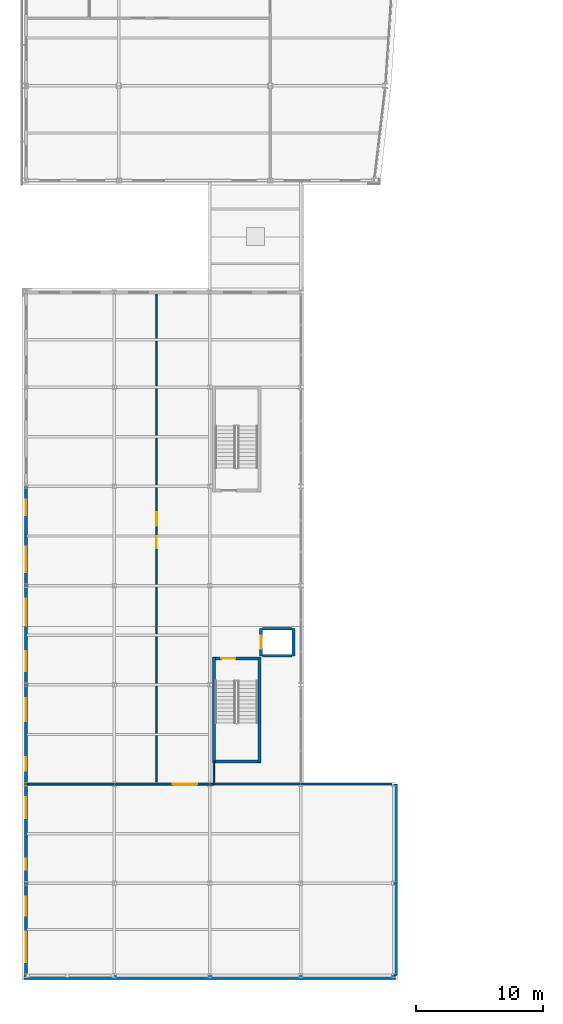
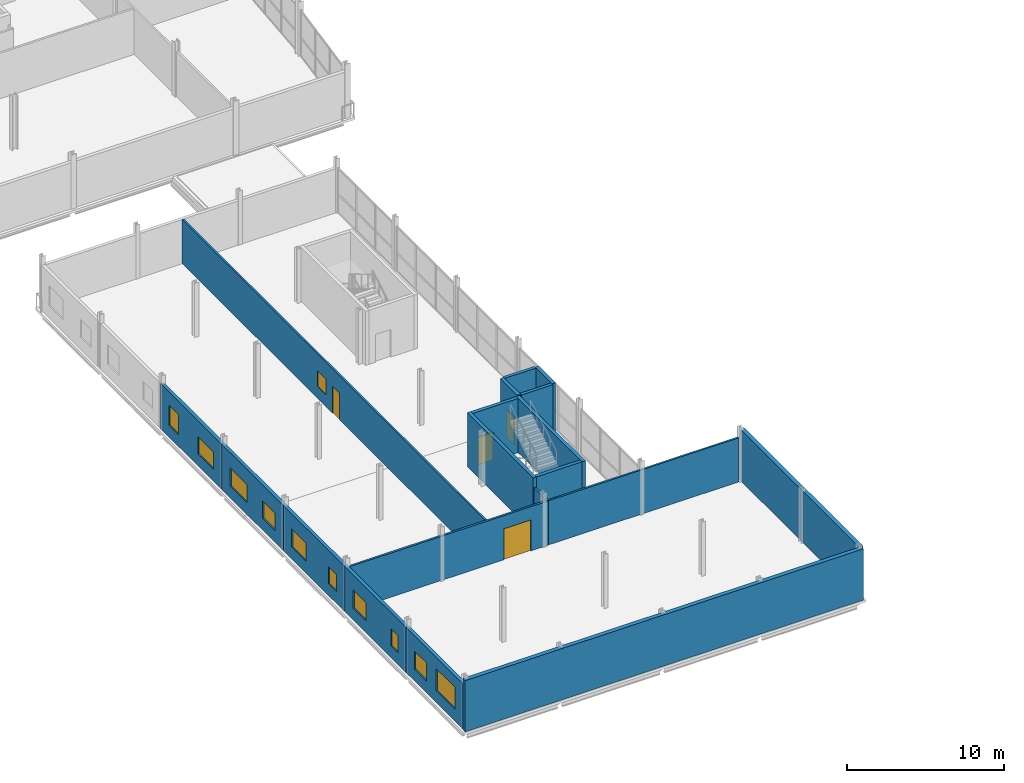
# One storey, part 52 of 65: 19 walls, 11 windows, 4 doors, 15 openings.
"""IFC4 building model written with IfcOpenShell, lengths in metres."""

from ifc_helpers import new_model, si_unit, direction, frame, frame_2d, origin, place, context, subcontext, project, spatial, rectangle, extrude, material, layer, layer_set, type_object, element, fill, save


model = new_model("IFC4")

# Units and contexts
model_context = context("Model", 3, precision=1e-05, world=origin(), true_north=direction((0.0, 1.0)))
body_context = subcontext(model_context, "Body", "Model", "MODEL_VIEW")
ifc_project = project(units=[si_unit("LENGTHUNIT", "METRE"), si_unit("AREAUNIT", "SQUARE_METRE"), si_unit("VOLUMEUNIT", "CUBIC_METRE"), si_unit("PLANEANGLEUNIT", "RADIAN"), si_unit("MASSUNIT", "GRAM", prefix="KILO")], contexts=[model_context])

# Site, building, storey
site_placement = place(None, origin())
site = spatial("IfcSite", under=ifc_project, at=site_placement, CompositionType="ELEMENT")
building_placement = place(site_placement, origin())
building = spatial("IfcBuilding", under=site, at=building_placement, Name="Quillay Park Conservatory", CompositionType="ELEMENT")
storey_placement = place(building_placement, frame((0.0, 0.0, 14.10009765625)))
storey = spatial("IfcBuildingStorey", under=building, at=storey_placement, Name="L03", CompositionType="ELEMENT", Elevation=14.10009765625)

# Wall
ifc_material_1 = material(Name="Steel-Stud Acoustic Gypsum Board Partition", Category="steel")
ifc_layer_1 = layer(ifc_material_1, 0.125)
ifc_layer_set_1 = layer_set([ifc_layer_1], Name="ACOUSTIC GYPSUM PARTITION 125 (Steel-Stud Acoustic Gypsum Board Partition)")
wall_type_1 = type_object("IfcWallType", Name="ACOUSTIC GYPSUM PARTITION 125", PredefinedType="PARTITIONING", material=ifc_layer_set_1)
wall_1_placement = place(storey_placement, frame((15.320068359375, 15.60009765625, 0.0), z_axis=(0.0, 0.0, 1.0), x_axis=(0.0, 1.0, 0.0)))
element("IfcWall", 1, at=wall_1_placement, inside=storey, type_object=wall_type_1, Name="L03 V3 Core South-West Closure", PredefinedType="PARTITIONING", context=body_context, shape_type="SweptSolid", body=[
    extrude(rectangle(XDim=1.77978515625, YDim=0.125, at=frame_2d((0.889892578125, 0.0))), origin(), (0.0, 0.0, 1.0), 3.42578125),
])

# Wall, openings, window, door
ifc_material_2 = material(Name="Steel-Stud Acoustic Gypsum Board Partition", Category="steel")
ifc_layer_2 = layer(ifc_material_2, 0.1298828125)
ifc_layer_set_2 = layer_set([ifc_layer_2], Name="ACOUSTIC GYPSUM PARTITION 130 (Steel-Stud Acoustic Gypsum Board Partition)")
wall_type_2 = type_object("IfcWallType", Name="ACOUSTIC GYPSUM PARTITION 130", PredefinedType="PARTITIONING", material=ifc_layer_set_2)
wall_2_placement = place(storey_placement, frame((10.820068359375, 15.60009765625, 0.0), z_axis=(0.0, 0.0, 1.0), x_axis=(0.0, 1.0, 0.0)))
wall_2 = element("IfcWall", 2, at=wall_2_placement, inside=storey, type_object=wall_type_2, Name="L03 Exhibition Gallery East Wall", PredefinedType="PARTITIONING", context=body_context, shape_type="SweptSolid", body=[
    extrude(rectangle(XDim=38.5498046875, YDim=0.1298828125, at=frame_2d((19.27490234375, 0.0))), origin(), (0.0, 0.0, 1.0), 3.42578125),
])
opening_1_placement = place(wall_2_placement, frame((18.550048828125, 0.0, 0.0)))
opening_1 = element("IfcOpeningElement", 3, at=opening_1_placement, cuts=wall_2, Name="Opening D-RM31", PredefinedType="OPENING", context=body_context, shape_type="SweptSolid", body=[
    extrude(rectangle(XDim=0.89990234375, YDim=2.080078125, at=frame_2d((0.449951171875, 1.0400390625))), frame((0.0, 0.06494140625, 0.0), z_axis=(0.0, -1.0, 0.0), x_axis=(1.0, 0.0, 0.0)), (0.0, 0.0, 1.0), 0.1298828125),
])
opening_2_placement = place(wall_2_placement, frame((20.300048828125, 0.0, 0.919921875)))
opening_2 = element("IfcOpeningElement", 4, at=opening_2_placement, cuts=wall_2, Name="Opening W-IN06", PredefinedType="OPENING", context=body_context, shape_type="SweptSolid", body=[
    extrude(rectangle(XDim=1.050048828125, YDim=1.199951171875, at=frame_2d((0.52490234375, 0.60009765625))), frame((0.0, 0.06494140625, 0.0), z_axis=(0.0, -1.0, 0.0), x_axis=(1.0, 0.0, 0.0)), (0.0, 0.0, 1.0), 0.1298828125),
])
ifc_material_3 = material(Name="Low-E Double Glazing (Laminated Tempered)", Category="glass")
window_type_1 = type_object("IfcWindowType", Name="OPERABLE VENT WINDOW 1050 X1200", PartitioningType="SINGLE_PANEL", PredefinedType="WINDOW", material=ifc_material_3)
window_1_placement = place(opening_2_placement, origin())
window_1 = element("IfcWindow", 5, at=window_1_placement, inside=storey, type_object=window_type_1, Name="L03 Laboratory Vision Panel 006", OverallHeight=1.199951171875, OverallWidth=1.050048828125, PartitioningType="SINGLE_PANEL", PredefinedType="WINDOW", context=body_context, shape_type="SweptSolid", body=[
    extrude(rectangle(XDim=1.050048828125, YDim=1.199951171875, at=frame_2d((0.52490234375, 0.60009765625))), frame((0.0, 0.030029296875, 0.0), z_axis=(0.0, -1.0, 0.0), x_axis=(1.0, 0.0, 0.0)), (0.0, 0.0, 1.0), 0.06005859375),
])
fill(opening_2, window_1)
ifc_material_4 = material(Name="Thermally Broken Anodised Aluminium 6063-T6", Category="aluminium")
door_type_1 = type_object("IfcDoorType", Name="SINGLE SWING DOOR 900 X2080", OperationType="NOTDEFINED", PredefinedType="DOOR", material=ifc_material_4)
door_1_placement = place(opening_1_placement, origin())
door_1 = element("IfcDoor", 6, at=door_1_placement, inside=storey, type_object=door_type_1, Name="L03 Door to Chilean Biodiversity Permanent Exhibition Gallery", OperationType="SINGLE_SWING_LEFT", OverallHeight=2.080078125, OverallWidth=0.89990234375, PredefinedType="DOOR", context=body_context, shape_type="SweptSolid", body=[
    extrude(rectangle(XDim=0.89990234375, YDim=2.080078125, at=frame_2d((0.449951171875, 1.0400390625))), frame((0.0, 0.02490234375, 0.0), z_axis=(0.0, -1.0, 0.0), x_axis=(1.0, 0.0, 0.0)), (0.0, 0.0, 1.0), 0.050048828125),
])
fill(opening_1, door_1)

# Wall
ifc_material_5 = material(Name="Steel-Stud Acoustic Gypsum Board Partition", Category="steel")
ifc_layer_3 = layer(ifc_material_5, 0.139892578125)
ifc_layer_set_3 = layer_set([ifc_layer_3], Name="ACOUSTIC GYPSUM PARTITION 140 (Steel-Stud Acoustic Gypsum Board Partition)")
wall_type_3 = type_object("IfcWallType", Name="ACOUSTIC GYPSUM PARTITION 140", PredefinedType="PARTITIONING", material=ifc_layer_set_3)
wall_3_placement = place(storey_placement, frame((29.301513671875, 15.60009765625, 0.0), z_axis=(0.0, 0.0, 1.0), x_axis=(-1.0, 0.0, 0.0)))
element("IfcWall", 7, at=wall_3_placement, inside=storey, type_object=wall_type_3, Name="L03 Workshop North Wall E", PredefinedType="PARTITIONING", context=body_context, shape_type="SweptSolid", body=[
    extrude(rectangle(XDim=13.9814453125, YDim=0.139892578125, at=frame_2d((6.99072265625, 0.0))), origin(), (0.0, 0.0, 1.0), 3.42578125),
])

# Wall, opening, door
ifc_material_6 = material(Name="Steel-Stud Acoustic Gypsum Board Partition", Category="steel")
ifc_layer_4 = layer(ifc_material_6, 0.14990234375)
ifc_layer_set_4 = layer_set([ifc_layer_4], Name="ACOUSTIC GYPSUM PARTITION 150 (Steel-Stud Acoustic Gypsum Board Partition)")
wall_type_4 = type_object("IfcWallType", Name="ACOUSTIC GYPSUM PARTITION 150", PredefinedType="PARTITIONING", material=ifc_layer_set_4)
wall_4_placement = place(storey_placement, frame((0.64990234375, 15.60009765625, 0.0), z_axis=(0.0, 0.0, 1.0), x_axis=(1.0, 0.0, 0.0)))
wall_4 = element("IfcWall", 8, at=wall_4_placement, inside=storey, type_object=wall_type_4, Name="L03 Workshop North Wall W", PredefinedType="PARTITIONING", context=body_context, shape_type="SweptSolid", body=[
    extrude(rectangle(XDim=14.670166015625, YDim=0.14990234375, at=frame_2d((7.3349609375, 0.0))), origin(), (0.0, 0.0, 1.0), 3.42578125),
])
opening_3_placement = place(wall_4_placement, frame((11.425048828125, 0.0, 0.0)))
opening_3 = element("IfcOpeningElement", 9, at=opening_3_placement, cuts=wall_4, Name="Opening D-RM30", PredefinedType="OPENING", context=body_context, shape_type="SweptSolid", body=[
    extrude(rectangle(XDim=1.949951171875, YDim=2.39990234375, at=frame_2d((0.97509765625, 1.199951171875))), frame((0.0, 0.074951171875, 0.0), z_axis=(0.0, -1.0, 0.0), x_axis=(1.0, 0.0, 0.0)), (0.0, 0.0, 1.0), 0.14990234375),
])
ifc_material_7 = material(Name="Thermally Broken Anodised Aluminium 6063-T6", Category="aluminium")
door_type_2 = type_object("IfcDoorType", Name="SINGLE SWING DOOR 1950 X2400", OperationType="NOTDEFINED", PredefinedType="DOOR", material=ifc_material_7)
door_2_placement = place(opening_3_placement, origin())
door_2 = element("IfcDoor", 10, at=door_2_placement, inside=storey, type_object=door_type_2, Name="L03 Door to Community Flora Workshop and Herbarium Classroom", OperationType="SINGLE_SWING_RIGHT", OverallHeight=2.39990234375, OverallWidth=1.949951171875, PredefinedType="DOOR", context=body_context, shape_type="SweptSolid", body=[
    extrude(rectangle(XDim=1.949951171875, YDim=2.39990234375, at=frame_2d((0.97509765625, 1.199951171875))), frame((0.0, 0.02490234375, 0.0), z_axis=(0.0, -1.0, 0.0), x_axis=(1.0, 0.0, 0.0)), (0.0, 0.0, 1.0), 0.050048828125),
])
fill(opening_3, door_2)

# Walls
ifc_material_8 = material(Name="Concrete C35/45 (NCh170 Concrete C35/45)", Category="concrete")
ifc_layer_5 = layer(ifc_material_8, 0.22509765625)
ifc_layer_set_5 = layer_set([ifc_layer_5], Name="CORE SHEAR WALL 225 (Concrete C35/45 (NCh170 Concrete C35/45))")
wall_type_5 = type_object("IfcWallType", Name="CORE SHEAR WALL 225", PredefinedType="SHEAR", material=ifc_layer_set_5)
for number, where, z_axis, x_axis, name in (
    (11, (19.14990234375, 25.6875, 0.0), (0.0, 0.0, 1.0), (1.0, 0.0, 0.0), "L03 Core Shear Wall WL-LFV1S-L03"),
    (12, (19.14990234375, 27.8125, 0.0), (0.0, 0.0, 1.0), (1.0, 0.0, 0.0), "L03 Core Shear Wall WL-LFV1N-L03"),
):
    element("IfcWall", number, at=place(storey_placement, frame(where, z_axis=z_axis, x_axis=x_axis)), inside=storey, type_object=wall_type_5, Name=name, PredefinedType="SHEAR", context=body_context, shape_type="SweptSolid", body=[
        extrude(rectangle(XDim=2.300048828125, YDim=0.22509765625, at=frame_2d((1.14990234375, 0.0))), origin(), (0.0, 0.0, 1.0), 4.199951171875),
    ])
ifc_material_9 = material(Name="Concrete C40/50 (NCh170 Concrete C40/50)", Category="concrete")
ifc_layer_6 = layer(ifc_material_9, 0.25)
ifc_layer_set_6 = layer_set([ifc_layer_6], Name="CORE SHEAR WALL 250 (Concrete C40/50 (NCh170 Concrete C40/50))")
wall_type_6 = type_object("IfcWallType", Name="CORE SHEAR WALL 250", PredefinedType="SHEAR", material=ifc_layer_set_6)
for number, where, z_axis, x_axis, name in (
    (13, (15.324951171875, 17.25, 0.0), (0.0, 0.0, 1.0), (0.0, 1.0, 0.0), "L03 Core Shear Wall WL-V1W-L03"),
    (14, (18.89501953125, 17.25, 0.0), (0.0, 0.0, 1.0), (0.0, 1.0, 0.0), "L03 Core Shear Wall WL-V1E-L03"),
):
    element("IfcWall", number, at=place(storey_placement, frame(where, z_axis=z_axis, x_axis=x_axis)), inside=storey, type_object=wall_type_6, Name=name, PredefinedType="SHEAR", context=body_context, shape_type="SweptSolid", body=[
        extrude(rectangle(XDim=8.35009765625, YDim=0.25, at=frame_2d((4.175048828125, 0.0))), origin(), (0.0, 0.0, 1.0), 4.199951171875),
    ])
wall_5_placement = place(storey_placement, frame((15.449951171875, 17.375, 0.0), z_axis=(0.0, 0.0, 1.0), x_axis=(1.0, 0.0, 0.0)))
element("IfcWall", 15, at=wall_5_placement, inside=storey, type_object=wall_type_6, Name="L03 Core Shear Wall WL-V1S-L03", PredefinedType="SHEAR", context=body_context, shape_type="SweptSolid", body=[
    extrude(rectangle(XDim=3.320068359375, YDim=0.25, at=frame_2d((1.66015625, 0.0))), origin(), (0.0, 0.0, 1.0), 4.199951171875),
])

# Wall, opening, door
wall_6_placement = place(storey_placement, frame((15.449951171875, 25.47509765625, 0.0), z_axis=(0.0, 0.0, 1.0), x_axis=(1.0, 0.0, 0.0)))
wall_6 = element("IfcWall", 16, at=wall_6_placement, inside=storey, type_object=wall_type_6, Name="L03 Core Shear Wall WL-V1D-L03", PredefinedType="SHEAR", context=body_context, shape_type="SweptSolid", body=[
    extrude(rectangle(XDim=3.320068359375, YDim=0.25, at=frame_2d((1.66015625, 0.0))), origin(), (0.0, 0.0, 1.0), 4.199951171875),
])
opening_4_placement = place(wall_6_placement, frame((0.449951171875, 0.0, 0.0)))
opening_4 = element("IfcOpeningElement", 17, at=opening_4_placement, cuts=wall_6, Name="Opening D-ST01", PredefinedType="OPENING", context=body_context, shape_type="SweptSolid", body=[
    extrude(rectangle(XDim=1.10009765625, YDim=2.14990234375, at=frame_2d((0.550048828125, 1.074951171875))), frame((0.0, 0.125, 0.0), z_axis=(0.0, -1.0, 0.0), x_axis=(1.0, 0.0, 0.0)), (0.0, 0.0, 1.0), 0.25),
])
ifc_material_10 = material(Name="Steel ASTM A572 Grade 50", Category="steel")
door_type_3 = type_object("IfcDoorType", Name="FIRE RATED STAIR DOOR 1100 X2150", OperationType="NOTDEFINED", PredefinedType="DOOR", material=ifc_material_10)
door_3_placement = place(opening_4_placement, origin())
door_3 = element("IfcDoor", 18, at=door_3_placement, inside=storey, type_object=door_type_3, Name="L03 Visitor Stair ST-V1 Door", OperationType="SINGLE_SWING_LEFT", OverallHeight=2.14990234375, OverallWidth=1.10009765625, PredefinedType="DOOR", context=body_context, shape_type="SweptSolid", body=[
    extrude(rectangle(XDim=1.10009765625, YDim=2.14990234375, at=frame_2d((0.550048828125, 1.074951171875))), frame((0.0, 0.02490234375, 0.0), z_axis=(0.0, -1.0, 0.0), x_axis=(1.0, 0.0, 0.0)), (0.0, 0.0, 1.0), 0.050048828125),
])
fill(opening_4, door_3)

# Wall
wall_7_placement = place(storey_placement, frame((21.574951171875, 25.675048828125, 0.0), z_axis=(0.0, 0.0, 1.0), x_axis=(0.0, 1.0, 0.0)))
element("IfcWall", 19, at=wall_7_placement, inside=storey, type_object=wall_type_6, Name="L03 Core Shear Wall WL-LFV1B-L03", PredefinedType="SHEAR", context=body_context, shape_type="SweptSolid", body=[
    extrude(rectangle(XDim=2.14990234375, YDim=0.25, at=frame_2d((1.074951171875, 0.0))), origin(), (0.0, 0.0, 1.0), 4.199951171875),
])

# Wall, opening, door
wall_8_placement = place(storey_placement, frame((19.02490234375, 25.675048828125, 0.0), z_axis=(0.0, 0.0, 1.0), x_axis=(0.0, 1.0, 0.0)))
wall_8 = element("IfcWall", 20, at=wall_8_placement, inside=storey, type_object=wall_type_6, Name="L03 Core Shear Wall WL-LFV1F-L03", PredefinedType="SHEAR", context=body_context, shape_type="SweptSolid", body=[
    extrude(rectangle(XDim=2.14990234375, YDim=0.25, at=frame_2d((1.074951171875, 0.0))), origin(), (0.0, 0.0, 1.0), 4.199951171875),
])
opening_5_placement = place(wall_8_placement, frame((0.574951171875, 0.0, 0.0)))
opening_5 = element("IfcOpeningElement", 21, at=opening_5_placement, cuts=wall_8, Name="Opening LD04", PredefinedType="OPENING", context=body_context, shape_type="SweptSolid", body=[
    extrude(rectangle(XDim=1.0, YDim=2.10009765625, at=frame_2d((0.5, 1.050048828125))), frame((0.0, 0.125, 0.0), z_axis=(0.0, -1.0, 0.0), x_axis=(1.0, 0.0, 0.0)), (0.0, 0.0, 1.0), 0.25),
])
ifc_material_11 = material(Name="Steel ASTM A572 Grade 50", Category="steel")
door_type_4 = type_object("IfcDoorType", Name="LIFT LANDING SLIDING DOOR 1000 X2100", OperationType="NOTDEFINED", PredefinedType="DOOR", material=ifc_material_11)
door_4_placement = place(opening_5_placement, origin())
door_4 = element("IfcDoor", 22, at=door_4_placement, inside=storey, type_object=door_type_4, Name="L03 LF-V1 Lift Landing Door LD04", OperationType="SLIDING_TO_LEFT", OverallHeight=2.10009765625, OverallWidth=1.0, PredefinedType="DOOR", context=body_context, shape_type="SweptSolid", body=[
    extrude(rectangle(XDim=1.0, YDim=2.10009765625, at=frame_2d((0.5, 1.050048828125))), frame((0.0, 0.02490234375, 0.0), z_axis=(0.0, -1.0, 0.0), x_axis=(1.0, 0.0, 0.0)), (0.0, 0.0, 1.0), 0.050048828125),
])
fill(opening_5, door_4)

# Wall, openings, windows
ifc_material_12 = material(Name="Glass-Fibre Reinforced Concrete (GRC) Cladding", Category="concrete")
ifc_layer_7 = layer(ifc_material_12, 0.239990234375)
ifc_layer_set_7 = layer_set([ifc_layer_7], Name="EXTERIOR SOLID WALL 240 (Glass-Fibre Reinforced Concrete (GRC) Cladding)")
wall_type_7 = type_object("IfcWallType", Name="EXTERIOR SOLID WALL 240", PredefinedType="SOLIDWALL", material=ifc_layer_set_7)
wall_9_placement = place(storey_placement, frame((0.550048828125, 0.550048828125, 0.0), z_axis=(0.0, 0.0, 1.0), x_axis=(0.0, 1.0, 0.0)))
wall_9 = element("IfcWall", 23, at=wall_9_placement, inside=storey, type_object=wall_type_7, Name="L03 External Wall WL-EXT-V3W-L03-0", PredefinedType="SOLIDWALL", context=body_context, shape_type="SweptSolid", body=[
    extrude(rectangle(XDim=7.25, YDim=0.239990234375, at=frame_2d((3.625, 0.0))), origin(), (0.0, 0.0, 1.0), 3.501953125),
])
opening_6_placement = place(wall_9_placement, frame((1.050048828125, 0.0, 0.919921875)))
opening_6 = element("IfcOpeningElement", 24, at=opening_6_placement, cuts=wall_9, Name="Opening W-16", PredefinedType="OPENING", context=body_context, shape_type="SweptSolid", body=[
    extrude(rectangle(XDim=2.39990234375, YDim=1.699951171875, at=frame_2d((1.199951171875, 0.85009765625))), frame((0.0, 0.1201171875, 0.0), z_axis=(0.0, -1.0, 0.0), x_axis=(1.0, 0.0, 0.0)), (0.0, 0.0, 1.0), 0.239990234375),
])
opening_7_placement = place(wall_9_placement, frame((4.699951171875, 0.0, 0.919921875)))
opening_7 = element("IfcOpeningElement", 25, at=opening_7_placement, cuts=wall_9, Name="Opening W-03", PredefinedType="OPENING", context=body_context, shape_type="SweptSolid", body=[
    extrude(rectangle(XDim=1.5, YDim=1.39990234375, at=frame_2d((0.75, 0.699951171875))), frame((0.0, 0.1201171875, 0.0), z_axis=(0.0, -1.0, 0.0), x_axis=(1.0, 0.0, 0.0)), (0.0, 0.0, 1.0), 0.239990234375),
])
ifc_material_13 = material(Name="Low-E Double Glazing (Laminated Tempered)", Category="glass")
window_type_2 = type_object("IfcWindowType", Name="FIXED CASEMENT WINDOW 1500 X1400", PartitioningType="SINGLE_PANEL", PredefinedType="WINDOW", material=ifc_material_13)
window_2_placement = place(opening_7_placement, origin())
window_2 = element("IfcWindow", 26, at=window_2_placement, inside=storey, type_object=window_type_2, Name="L03 Exterior Window 0052", OverallHeight=1.39990234375, OverallWidth=1.5, PartitioningType="SINGLE_PANEL", PredefinedType="WINDOW", context=body_context, shape_type="SweptSolid", body=[
    extrude(rectangle(XDim=1.5, YDim=1.39990234375, at=frame_2d((0.75, 0.699951171875))), frame((0.0, 0.030029296875, 0.0), z_axis=(0.0, -1.0, 0.0), x_axis=(1.0, 0.0, 0.0)), (0.0, 0.0, 1.0), 0.06005859375),
])
fill(opening_7, window_2)
ifc_material_14 = material(Name="Low-E Double Glazing (Laminated Tempered)", Category="glass")
window_type_3 = type_object("IfcWindowType", Name="FIXED CASEMENT WINDOW 2400 X1700", PartitioningType="DOUBLE_PANEL_VERTICAL", PredefinedType="WINDOW", material=ifc_material_14)
window_3_placement = place(opening_6_placement, origin())
window_3 = element("IfcWindow", 27, at=window_3_placement, inside=storey, type_object=window_type_3, Name="L03 Exterior Window 0051", OverallHeight=1.699951171875, OverallWidth=2.39990234375, PartitioningType="DOUBLE_PANEL_VERTICAL", PredefinedType="WINDOW", context=body_context, shape_type="SweptSolid", body=[
    extrude(rectangle(XDim=2.39990234375, YDim=1.699951171875, at=frame_2d((1.199951171875, 0.85009765625))), frame((0.0, 0.030029296875, 0.0), z_axis=(0.0, -1.0, 0.0), x_axis=(1.0, 0.0, 0.0)), (0.0, 0.0, 1.0), 0.06005859375),
])
fill(opening_6, window_3)

wall_10_placement = place(storey_placement, frame((0.550048828125, 7.800048828125, 0.0), z_axis=(0.0, 0.0, 1.0), x_axis=(0.0, 1.0, 0.0)))
wall_10 = element("IfcWall", 28, at=wall_10_placement, inside=storey, type_object=wall_type_7, Name="L03 External Wall WL-EXT-V3W-L03-1", PredefinedType="SOLIDWALL", context=body_context, shape_type="SweptSolid", body=[
    extrude(rectangle(XDim=7.800048828125, YDim=0.239990234375, at=frame_2d((3.89990234375, 0.0))), origin(), (0.0, 0.0, 1.0), 3.501953125),
])
opening_8_placement = place(wall_10_placement, frame((1.050048828125, 0.0, 0.919921875)))
opening_8 = element("IfcOpeningElement", 29, at=opening_8_placement, cuts=wall_10, Name="Opening W-17", PredefinedType="OPENING", context=body_context, shape_type="SweptSolid", body=[
    extrude(rectangle(XDim=0.89990234375, YDim=1.300048828125, at=frame_2d((0.449951171875, 0.64990234375))), frame((0.0, 0.1201171875, 0.0), z_axis=(0.0, -1.0, 0.0), x_axis=(1.0, 0.0, 0.0)), (0.0, 0.0, 1.0), 0.239990234375),
])
opening_9_placement = place(wall_10_placement, frame((5.10009765625, 0.0, 0.919921875)))
opening_9 = element("IfcOpeningElement", 30, at=opening_9_placement, cuts=wall_10, Name="Opening W-04", PredefinedType="OPENING", context=body_context, shape_type="SweptSolid", body=[
    extrude(rectangle(XDim=1.64990234375, YDim=1.39990234375, at=frame_2d((0.824951171875, 0.699951171875))), frame((0.0, 0.1201171875, 0.0), z_axis=(0.0, -1.0, 0.0), x_axis=(1.0, 0.0, 0.0)), (0.0, 0.0, 1.0), 0.239990234375),
])
ifc_material_15 = material(Name="Low-E Double Glazing (Laminated Tempered)", Category="glass")
window_type_4 = type_object("IfcWindowType", Name="FIXED CASEMENT WINDOW 1650 X1400", PartitioningType="DOUBLE_PANEL_VERTICAL", PredefinedType="WINDOW", material=ifc_material_15)
window_4_placement = place(opening_9_placement, origin())
window_4 = element("IfcWindow", 31, at=window_4_placement, inside=storey, type_object=window_type_4, Name="L03 Exterior Window 0054", OverallHeight=1.39990234375, OverallWidth=1.64990234375, PartitioningType="DOUBLE_PANEL_VERTICAL", PredefinedType="WINDOW", context=body_context, shape_type="SweptSolid", body=[
    extrude(rectangle(XDim=1.64990234375, YDim=1.39990234375, at=frame_2d((0.824951171875, 0.699951171875))), frame((0.0, 0.030029296875, 0.0), z_axis=(0.0, -1.0, 0.0), x_axis=(1.0, 0.0, 0.0)), (0.0, 0.0, 1.0), 0.06005859375),
])
fill(opening_9, window_4)
ifc_material_16 = material(Name="Low-E Double Glazing (Laminated Tempered)", Category="glass")
window_type_5 = type_object("IfcWindowType", Name="FIXED CASEMENT WINDOW 900 X1300", PartitioningType="SINGLE_PANEL", PredefinedType="WINDOW", material=ifc_material_16)
window_5_placement = place(opening_8_placement, origin())
window_5 = element("IfcWindow", 32, at=window_5_placement, inside=storey, type_object=window_type_5, Name="L03 Exterior Window 0053", OverallHeight=1.300048828125, OverallWidth=0.89990234375, PartitioningType="SINGLE_PANEL", PredefinedType="WINDOW", context=body_context, shape_type="SweptSolid", body=[
    extrude(rectangle(XDim=0.89990234375, YDim=1.300048828125, at=frame_2d((0.449951171875, 0.64990234375))), frame((0.0, 0.030029296875, 0.0), z_axis=(0.0, -1.0, 0.0), x_axis=(1.0, 0.0, 0.0)), (0.0, 0.0, 1.0), 0.06005859375),
])
fill(opening_8, window_5)

wall_11_placement = place(storey_placement, frame((0.550048828125, 15.60009765625, 0.0), z_axis=(0.0, 0.0, 1.0), x_axis=(0.0, 1.0, 0.0)))
wall_11 = element("IfcWall", 33, at=wall_11_placement, inside=storey, type_object=wall_type_7, Name="L03 External Wall WL-EXT-V3W-L03-2", PredefinedType="SOLIDWALL", context=body_context, shape_type="SweptSolid", body=[
    extrude(rectangle(XDim=7.7998046875, YDim=0.239990234375, at=frame_2d((3.89990234375, 0.0))), origin(), (0.0, 0.0, 1.0), 3.501953125),
])
opening_10_placement = place(wall_11_placement, frame((1.050048828125, 0.0, 0.919921875)))
opening_10 = element("IfcOpeningElement", 34, at=opening_10_placement, cuts=wall_11, Name="Opening W-18", PredefinedType="OPENING", context=body_context, shape_type="SweptSolid", body=[
    extrude(rectangle(XDim=1.050048828125, YDim=1.300048828125, at=frame_2d((0.52490234375, 0.64990234375))), frame((0.0, 0.1201171875, 0.0), z_axis=(0.0, -1.0, 0.0), x_axis=(1.0, 0.0, 0.0)), (0.0, 0.0, 1.0), 0.239990234375),
])
opening_11_placement = place(wall_11_placement, frame((4.949951171875, 0.0, 0.919921875)))
opening_11 = element("IfcOpeningElement", 35, at=opening_11_placement, cuts=wall_11, Name="Opening W-05", PredefinedType="OPENING", context=body_context, shape_type="SweptSolid", body=[
    extrude(rectangle(XDim=1.800048828125, YDim=1.39990234375, at=frame_2d((0.89990234375, 0.699951171875))), frame((0.0, 0.1201171875, 0.0), z_axis=(0.0, -1.0, 0.0), x_axis=(1.0, 0.0, 0.0)), (0.0, 0.0, 1.0), 0.239990234375),
])
ifc_material_17 = material(Name="Low-E Double Glazing (Laminated Tempered)", Category="glass")
window_type_6 = type_object("IfcWindowType", Name="FIXED CASEMENT WINDOW 1050 X1300", PartitioningType="SINGLE_PANEL", PredefinedType="WINDOW", material=ifc_material_17)
window_6_placement = place(opening_10_placement, origin())
window_6 = element("IfcWindow", 36, at=window_6_placement, inside=storey, type_object=window_type_6, Name="L03 Exterior Window 0055", OverallHeight=1.300048828125, OverallWidth=1.050048828125, PartitioningType="SINGLE_PANEL", PredefinedType="WINDOW", context=body_context, shape_type="SweptSolid", body=[
    extrude(rectangle(XDim=1.050048828125, YDim=1.300048828125, at=frame_2d((0.52490234375, 0.64990234375))), frame((0.0, 0.030029296875, 0.0), z_axis=(0.0, -1.0, 0.0), x_axis=(1.0, 0.0, 0.0)), (0.0, 0.0, 1.0), 0.06005859375),
])
fill(opening_10, window_6)
ifc_material_18 = material(Name="Low-E Double Glazing (Laminated Tempered)", Category="glass")
window_type_7 = type_object("IfcWindowType", Name="FIXED CASEMENT WINDOW 1800 X1400", PartitioningType="DOUBLE_PANEL_VERTICAL", PredefinedType="WINDOW", material=ifc_material_18)
window_7_placement = place(opening_11_placement, origin())
window_7 = element("IfcWindow", 37, at=window_7_placement, inside=storey, type_object=window_type_7, Name="L03 Exterior Window 0056", OverallHeight=1.39990234375, OverallWidth=1.800048828125, PartitioningType="DOUBLE_PANEL_VERTICAL", PredefinedType="WINDOW", context=body_context, shape_type="SweptSolid", body=[
    extrude(rectangle(XDim=1.800048828125, YDim=1.39990234375, at=frame_2d((0.89990234375, 0.699951171875))), frame((0.0, 0.030029296875, 0.0), z_axis=(0.0, -1.0, 0.0), x_axis=(1.0, 0.0, 0.0)), (0.0, 0.0, 1.0), 0.06005859375),
])
fill(opening_11, window_7)

wall_12_placement = place(storey_placement, frame((0.550048828125, 23.39990234375, 0.0), z_axis=(0.0, 0.0, 1.0), x_axis=(0.0, 1.0, 0.0)))
wall_12 = element("IfcWall", 38, at=wall_12_placement, inside=storey, type_object=wall_type_7, Name="L03 External Wall WL-EXT-V3W-L03-3", PredefinedType="SOLIDWALL", context=body_context, shape_type="SweptSolid", body=[
    extrude(rectangle(XDim=7.800048828125, YDim=0.239990234375, at=frame_2d((3.89990234375, 0.0))), origin(), (0.0, 0.0, 1.0), 3.501953125),
])
opening_12_placement = place(wall_12_placement, frame((1.050048828125, 0.0, 0.919921875)))
opening_12 = element("IfcOpeningElement", 39, at=opening_12_placement, cuts=wall_12, Name="Opening W-19", PredefinedType="OPENING", context=body_context, shape_type="SweptSolid", body=[
    extrude(rectangle(XDim=1.60009765625, YDim=1.35009765625, at=frame_2d((0.800048828125, 0.675048828125))), frame((0.0, 0.1201171875, 0.0), z_axis=(0.0, -1.0, 0.0), x_axis=(1.0, 0.0, 0.0)), (0.0, 0.0, 1.0), 0.239990234375),
])
opening_13_placement = place(wall_12_placement, frame((4.64990234375, 0.0, 0.919921875)))
opening_13 = element("IfcOpeningElement", 40, at=opening_13_placement, cuts=wall_12, Name="Opening W-06", PredefinedType="OPENING", context=body_context, shape_type="SweptSolid", body=[
    extrude(rectangle(XDim=2.10009765625, YDim=1.39990234375, at=frame_2d((1.050048828125, 0.699951171875))), frame((0.0, 0.1201171875, 0.0), z_axis=(0.0, -1.0, 0.0), x_axis=(1.0, 0.0, 0.0)), (0.0, 0.0, 1.0), 0.239990234375),
])
ifc_material_19 = material(Name="Low-E Double Glazing (Laminated Tempered)", Category="glass")
window_type_8 = type_object("IfcWindowType", Name="FIXED CASEMENT WINDOW 1600 X1350", PartitioningType="DOUBLE_PANEL_VERTICAL", PredefinedType="WINDOW", material=ifc_material_19)
window_8_placement = place(opening_12_placement, origin())
window_8 = element("IfcWindow", 41, at=window_8_placement, inside=storey, type_object=window_type_8, Name="L03 Exterior Window 0057", OverallHeight=1.35009765625, OverallWidth=1.60009765625, PartitioningType="DOUBLE_PANEL_VERTICAL", PredefinedType="WINDOW", context=body_context, shape_type="SweptSolid", body=[
    extrude(rectangle(XDim=1.60009765625, YDim=1.35009765625, at=frame_2d((0.800048828125, 0.675048828125))), frame((0.0, 0.030029296875, 0.0), z_axis=(0.0, -1.0, 0.0), x_axis=(1.0, 0.0, 0.0)), (0.0, 0.0, 1.0), 0.06005859375),
])
fill(opening_12, window_8)
ifc_material_20 = material(Name="Low-E Double Glazing (Laminated Tempered)", Category="glass")
window_type_9 = type_object("IfcWindowType", Name="FIXED CASEMENT WINDOW 2100 X1400", PartitioningType="DOUBLE_PANEL_VERTICAL", PredefinedType="WINDOW", material=ifc_material_20)
window_9_placement = place(opening_13_placement, origin())
window_9 = element("IfcWindow", 42, at=window_9_placement, inside=storey, type_object=window_type_9, Name="L03 Exterior Window 0058", OverallHeight=1.39990234375, OverallWidth=2.10009765625, PartitioningType="DOUBLE_PANEL_VERTICAL", PredefinedType="WINDOW", context=body_context, shape_type="SweptSolid", body=[
    extrude(rectangle(XDim=2.10009765625, YDim=1.39990234375, at=frame_2d((1.050048828125, 0.699951171875))), frame((0.0, 0.030029296875, 0.0), z_axis=(0.0, -1.0, 0.0), x_axis=(1.0, 0.0, 0.0)), (0.0, 0.0, 1.0), 0.06005859375),
])
fill(opening_13, window_9)

wall_13_placement = place(storey_placement, frame((0.550048828125, 31.199951171875, 0.0), z_axis=(0.0, 0.0, 1.0), x_axis=(0.0, 1.0, 0.0)))
wall_13 = element("IfcWall", 43, at=wall_13_placement, inside=storey, type_object=wall_type_7, Name="L03 External Wall WL-EXT-V3W-L03-4", PredefinedType="SOLIDWALL", context=body_context, shape_type="SweptSolid", body=[
    extrude(rectangle(XDim=7.800048828125, YDim=0.239990234375, at=frame_2d((3.89990234375, 0.0))), origin(), (0.0, 0.0, 1.0), 3.501953125),
])
opening_14_placement = place(wall_13_placement, frame((1.050048828125, 0.0, 0.919921875)))
opening_14 = element("IfcOpeningElement", 44, at=opening_14_placement, cuts=wall_13, Name="Opening W-20", PredefinedType="OPENING", context=body_context, shape_type="SweptSolid", body=[
    extrude(rectangle(XDim=2.0, YDim=1.35009765625, at=frame_2d((1.0, 0.675048828125))), frame((0.0, 0.1201171875, 0.0), z_axis=(0.0, -1.0, 0.0), x_axis=(1.0, 0.0, 0.0)), (0.0, 0.0, 1.0), 0.239990234375),
])
opening_15_placement = place(wall_13_placement, frame((5.550048828125, 0.0, 0.919921875)))
opening_15 = element("IfcOpeningElement", 45, at=opening_15_placement, cuts=wall_13, Name="Opening W-07", PredefinedType="OPENING", context=body_context, shape_type="SweptSolid", body=[
    extrude(rectangle(XDim=1.199951171875, YDim=1.550048828125, at=frame_2d((0.60009765625, 0.77490234375))), frame((0.0, 0.1201171875, 0.0), z_axis=(0.0, -1.0, 0.0), x_axis=(1.0, 0.0, 0.0)), (0.0, 0.0, 1.0), 0.239990234375),
])
ifc_material_21 = material(Name="Low-E Double Glazing (Laminated Tempered)", Category="glass")
window_type_10 = type_object("IfcWindowType", Name="FIXED CASEMENT WINDOW 1200 X1550", PartitioningType="SINGLE_PANEL", PredefinedType="WINDOW", material=ifc_material_21)
window_10_placement = place(opening_15_placement, origin())
window_10 = element("IfcWindow", 46, at=window_10_placement, inside=storey, type_object=window_type_10, Name="L03 Exterior Window 0060", OverallHeight=1.550048828125, OverallWidth=1.199951171875, PartitioningType="SINGLE_PANEL", PredefinedType="WINDOW", context=body_context, shape_type="SweptSolid", body=[
    extrude(rectangle(XDim=1.199951171875, YDim=1.550048828125, at=frame_2d((0.60009765625, 0.77490234375))), frame((0.0, 0.030029296875, 0.0), z_axis=(0.0, -1.0, 0.0), x_axis=(1.0, 0.0, 0.0)), (0.0, 0.0, 1.0), 0.06005859375),
])
fill(opening_15, window_10)
ifc_material_22 = material(Name="Low-E Double Glazing (Laminated Tempered)", Category="glass")
window_type_11 = type_object("IfcWindowType", Name="FIXED CASEMENT WINDOW 2000 X1350", PartitioningType="DOUBLE_PANEL_VERTICAL", PredefinedType="WINDOW", material=ifc_material_22)
window_11_placement = place(opening_14_placement, origin())
window_11 = element("IfcWindow", 47, at=window_11_placement, inside=storey, type_object=window_type_11, Name="L03 Exterior Window 0059", OverallHeight=1.35009765625, OverallWidth=2.0, PartitioningType="DOUBLE_PANEL_VERTICAL", PredefinedType="WINDOW", context=body_context, shape_type="SweptSolid", body=[
    extrude(rectangle(XDim=2.0, YDim=1.35009765625, at=frame_2d((1.0, 0.675048828125))), frame((0.0, 0.030029296875, 0.0), z_axis=(0.0, -1.0, 0.0), x_axis=(1.0, 0.0, 0.0)), (0.0, 0.0, 1.0), 0.06005859375),
])
fill(opening_14, window_11)

# Walls
ifc_material_23 = material(Name="Concrete C35/45 (NCh170 Concrete C35/45)", Category="concrete")
ifc_layer_8 = layer(ifc_material_23, 0.300048828125)
ifc_layer_set_8 = layer_set([ifc_layer_8], Name="SOLID FIREWALL 300 (Concrete C35/45 (NCh170 Concrete C35/45))")
wall_type_8 = type_object("IfcWallType", Name="SOLID FIREWALL 300", PredefinedType="SOLIDWALL", material=ifc_layer_set_8)
wall_14_placement = place(storey_placement, frame((29.60009765625, 0.39990234375, 0.0), z_axis=(0.0, 0.0, 1.0), x_axis=(-1.0, 0.0, 0.0)))
element("IfcWall", 48, at=wall_14_placement, inside=storey, type_object=wall_type_8, Name="L03 South Party Firewall", PredefinedType="SOLIDWALL", context=body_context, shape_type="SweptSolid", body=[
    extrude(rectangle(XDim=29.2001953125, YDim=0.300048828125, at=frame_2d((14.60009765625, 0.0))), origin(), (0.0, 0.0, 1.0), 3.974853515625),
])
wall_15_placement = place(storey_placement, frame((29.60009765625, 15.60009765625, 0.0), z_axis=(0.0, 0.0, 1.0), x_axis=(0.0, -1.0, 0.0)))
element("IfcWall", 49, at=wall_15_placement, inside=storey, type_object=wall_type_8, Name="L03 Inner-East Party Firewall", PredefinedType="SOLIDWALL", context=body_context, shape_type="SweptSolid", body=[
    extrude(rectangle(XDim=15.050048828125, YDim=0.300048828125, at=frame_2d((7.52490234375, 0.0))), origin(), (0.0, 0.0, 1.0), 3.974853515625),
])

save(model, "model.ifc")
